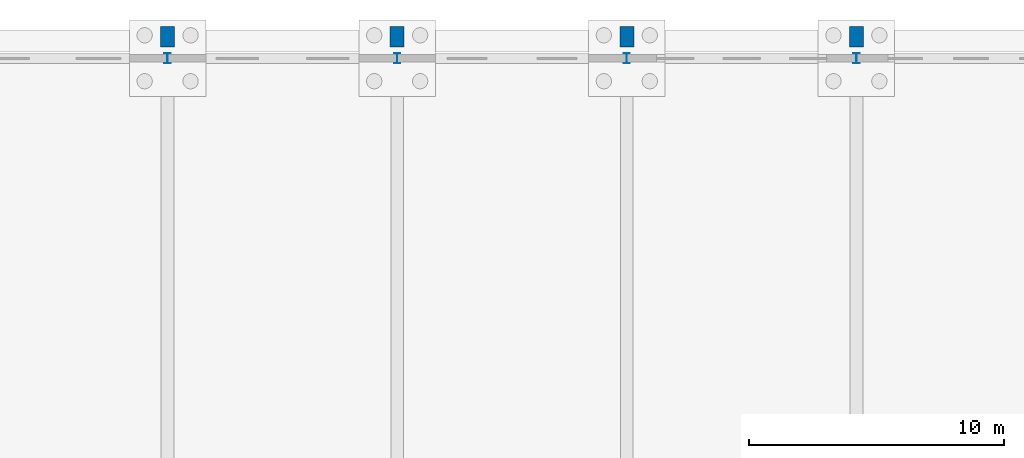
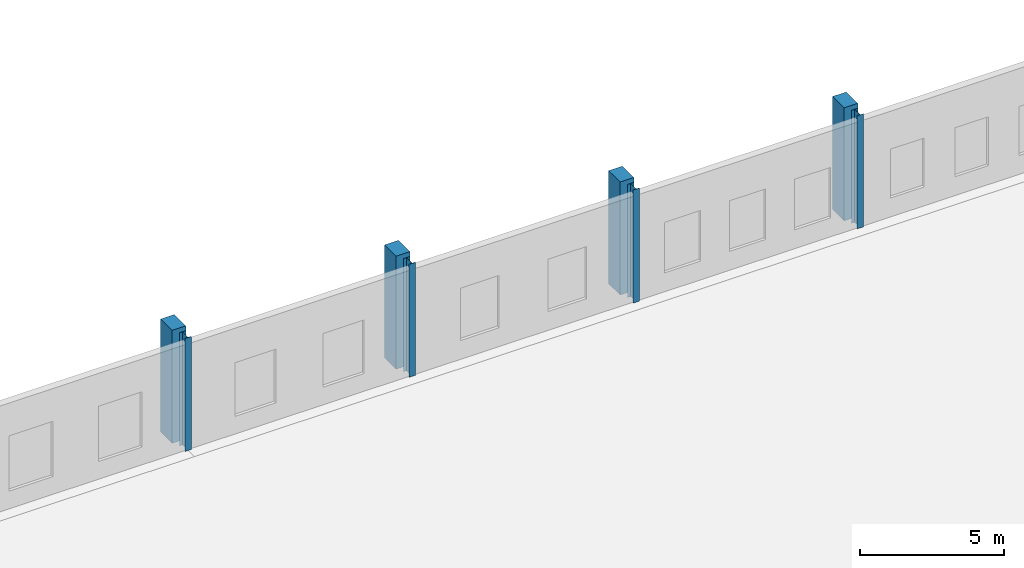
# One storey, part 48 of 112: 8 columns.
"""IFC4 building model written with IfcOpenShell, lengths in metres."""

from ifc_helpers import new_model, si_unit, direction, frame, origin, origin_2d, place, context, subcontext, project, spatial, rectangle, i_section, extrude, material, material_profile, profile_set, type_object, element, save


model = new_model("IFC4")

# Units and contexts
model_context = context("Model", 3, precision=1e-05, world=origin(), true_north=direction((0.0, 1.0)))
body_context = subcontext(model_context, "Body", "Model", "MODEL_VIEW")
ifc_project = project(units=[si_unit("LENGTHUNIT", "METRE"), si_unit("AREAUNIT", "SQUARE_METRE"), si_unit("VOLUMEUNIT", "CUBIC_METRE"), si_unit("PLANEANGLEUNIT", "RADIAN"), si_unit("MASSUNIT", "GRAM", prefix="KILO")], contexts=[model_context])

# Site, building, storey
site_placement = place(None, origin())
site = spatial("IfcSite", under=ifc_project, at=site_placement, CompositionType="ELEMENT")
building_placement = place(site_placement, origin())
building = spatial("IfcBuilding", under=site, at=building_placement, Name="Tharagai Park Tramway Depot", CompositionType="ELEMENT")
storey_placement = place(building_placement, origin())
storey = spatial("IfcBuildingStorey", under=building, at=storey_placement, Name="L00", CompositionType="ELEMENT", Elevation=0.0)

# Columns
ifc_material_1 = material(Name="Steel E350", Category="steel")
ifc_material_profile_1 = material_profile(ifc_material_1, i_section(OverallWidth=0.25, OverallDepth=0.39990234375, WebThickness=0.010498046875, FlangeThickness=0.0126953125, FilletRadius=0.013916015625, at=origin_2d()), Name="ISHB 400")
ifc_profile_set_1 = profile_set([ifc_material_profile_1], Name="Steel E350")
column_type_1 = type_object("IfcColumnType", Name="CL-06", PredefinedType="COLUMN", material=ifc_profile_set_1)
for number, where, z_axis, x_axis, name in (
    (1, (108.0, 144.0, 0.0), (0.0, 0.0, 1.0), (1.0, 0.0, 0.0), "L00 Structural Column CL-06 (108,144)"),
    (2, (117.0, 144.0, 0.0), (0.0, 0.0, 1.0), (1.0, 0.0, 0.0), "L00 Structural Column CL-06 (117,144)"),
    (3, (126.0, 144.0, 0.0), (0.0, 0.0, 1.0), (1.0, 0.0, 0.0), "L00 Structural Column CL-06 (126,144)"),
    (4, (135.0, 144.0, 0.0), (0.0, 0.0, 1.0), (1.0, 0.0, 0.0), "L00 Structural Column CL-06 (135,144)"),
):
    element("IfcColumn", number, at=place(storey_placement, frame(where, z_axis=z_axis, x_axis=x_axis)), inside=storey, type_object=column_type_1, Name=name, PredefinedType="COLUMN", context=body_context, shape_type="SweptSolid", body=[
        extrude(i_section(OverallWidth=0.25, OverallDepth=0.39990234375, WebThickness=0.010498046875, FlangeThickness=0.0126953125, FilletRadius=0.013916015625, at=origin_2d()), origin(), (0.0, 0.0, 1.0), 4.800048828125),
    ])
ifc_material_2 = material(Name="Concrete M40", Category="concrete")
ifc_material_profile_2 = material_profile(ifc_material_2, rectangle(XDim=0.550048828125, YDim=0.800048828125, at=origin_2d()), Name="RC 550x800")
ifc_profile_set_2 = profile_set([ifc_material_profile_2], Name="Concrete M40")
column_type_2 = type_object("IfcColumnType", Name="PL-02", PredefinedType="PILASTER", material=ifc_profile_set_2)
for number, where, z_axis, x_axis, name in (
    (5, (108.0, 144.85009765625, 0.0), (0.0, 0.0, 1.0), (1.0, 0.0, 0.0), "L00 Stepped Gothic Buttress PL-02 N-108"),
    (6, (117.0, 144.85009765625, 0.0), (0.0, 0.0, 1.0), (1.0, 0.0, 0.0), "L00 Stepped Gothic Buttress PL-02 N-117"),
    (7, (126.0, 144.85009765625, 0.0), (0.0, 0.0, 1.0), (1.0, 0.0, 0.0), "L00 Stepped Gothic Buttress PL-02 N-126"),
    (8, (135.0, 144.85009765625, 0.0), (0.0, 0.0, 1.0), (1.0, 0.0, 0.0), "L00 Stepped Gothic Buttress PL-02 N-135"),
):
    element("IfcColumn", number, at=place(storey_placement, frame(where, z_axis=z_axis, x_axis=x_axis)), inside=storey, type_object=column_type_2, Name=name, PredefinedType="PILASTER", context=body_context, shape_type="SweptSolid", body=[
        extrude(rectangle(XDim=0.550048828125, YDim=0.800048828125, at=origin_2d()), origin(), (0.0, 0.0, 1.0), 4.800048828125),
    ])

save(model, "model.ifc")
